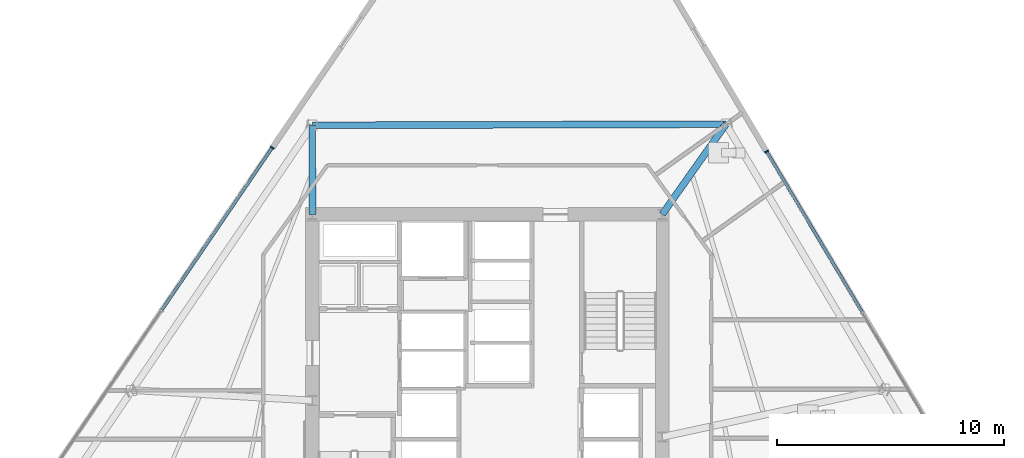
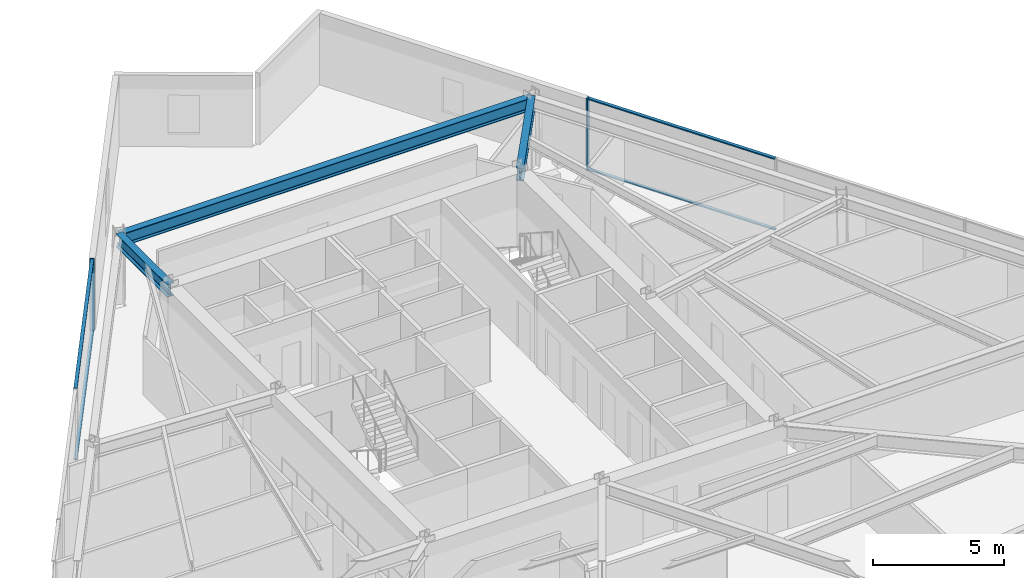
# One storey, part 7 of 17: 6 members, 3 beams, 2 elements without a shape of their own.
"""IFC4 building model written with IfcOpenShell, lengths in metres."""

from ifc_helpers import new_model, si_unit, direction, frame, origin, origin_2d, place, context, subcontext, project, spatial, rectangle, i_section, extrude, material, material_profile, profile_set, type_object, element, aggregate, save


model = new_model("IFC4")

# Units and contexts
model_context = context("Model", 3, precision=1e-05, world=origin(), true_north=direction((0.0, 1.0)))
body_context = subcontext(model_context, "Body", "Model", "MODEL_VIEW")
ifc_project = project(units=[si_unit("LENGTHUNIT", "METRE"), si_unit("AREAUNIT", "SQUARE_METRE"), si_unit("VOLUMEUNIT", "CUBIC_METRE"), si_unit("PLANEANGLEUNIT", "RADIAN"), si_unit("MASSUNIT", "GRAM", prefix="KILO")], contexts=[model_context])

# Site, building, storey
site_placement = place(None, origin())
site = spatial("IfcSite", under=ifc_project, at=site_placement, CompositionType="ELEMENT")
building_placement = place(site_placement, origin())
building = spatial("IfcBuilding", under=site, at=building_placement, Name="Savorim Split Tower", CompositionType="ELEMENT")
storey_placement = place(building_placement, frame((0.0, 0.0, 55.199951171875)))
storey = spatial("IfcBuildingStorey", under=building, at=storey_placement, Name="L14", CompositionType="ELEMENT", Elevation=55.199951171875)

# Beams
ifc_material_1 = material(Name="Steel S355", Category="steel")
ifc_material_profile_1 = material_profile(ifc_material_1, i_section(OverallWidth=0.300048828125, OverallDepth=0.60009765625, WebThickness=0.015380859375, FlangeThickness=0.030029296875, FilletRadius=0.027099609375, at=origin_2d()), Name="HEB 600")
ifc_profile_set_1 = profile_set([ifc_material_profile_1], Name="Steel S355")
beam_type_1 = type_object("IfcBeamType", Name="BM-PRI-HEB600", PredefinedType="BEAM", material=ifc_profile_set_1)
beam_1_placement = place(storey_placement, frame((10.505126953125, 14.16796875, 3.050048828125), z_axis=(-0.577262964215, -0.816558307866, 0.0), x_axis=(0.816558307866, -0.577262964215, 0.0)))
element("IfcBeam", 1, at=beam_1_placement, inside=storey, type_object=beam_type_1, Name="L14 Primary Floor Girder RG-07", PredefinedType="BEAM", context=body_context, shape_type="SweptSolid", body=[
    extrude(i_section(OverallWidth=0.300048828125, OverallDepth=0.60009765625, WebThickness=0.015380859375, FlangeThickness=0.030029296875, FilletRadius=0.027099609375, at=origin_2d()), origin(), (0.0, 0.0, 1.0), 4.859375),
])
beam_2_placement = place(storey_placement, frame((-7.707275390625, 14.119140625, 3.050048828125), z_axis=(0.001868806305, -0.99999825378, 0.0), x_axis=(0.99999825378, 0.001868806305, 0.0)))
element("IfcBeam", 2, at=beam_2_placement, inside=storey, type_object=beam_type_1, Name="L14 Primary Floor Girder RG-08", PredefinedType="BEAM", context=body_context, shape_type="SweptSolid", body=[
    extrude(i_section(OverallWidth=0.300048828125, OverallDepth=0.60009765625, WebThickness=0.015380859375, FlangeThickness=0.030029296875, FilletRadius=0.027099609375, at=origin_2d()), origin(), (0.0, 0.0, 1.0), 3.919189453125),
])
ifc_material_profile_2 = material_profile(ifc_material_1, i_section(OverallWidth=0.300048828125, OverallDepth=0.590087890625, WebThickness=0.012939453125, FlangeThickness=0.02490234375, FilletRadius=0.027099609375, at=origin_2d()), Name="HEA 600")
ifc_profile_set_2 = profile_set([ifc_material_profile_2], Name="Steel S355")
beam_type_2 = type_object("IfcBeamType", Name="BM-SPN-HEA600", PredefinedType="SPANDREL", material=ifc_profile_set_2)
beam_3_placement = place(storey_placement, frame((10.505126953125, 14.16796875, 3.054931640625), z_axis=(-0.99999640604, -0.00268102739, 0.0), x_axis=(0.00268102739, -0.99999640604, 0.0)))
element("IfcBeam", 3, at=beam_3_placement, inside=storey, type_object=beam_type_2, Name="L14 Perimeter Spandrel Beam 7", PredefinedType="SPANDREL", context=body_context, shape_type="SweptSolid", body=[
    extrude(i_section(OverallWidth=0.300048828125, OverallDepth=0.590087890625, WebThickness=0.012939453125, FlangeThickness=0.02490234375, FilletRadius=0.027099609375, at=origin_2d()), origin(), (0.0, 0.0, 1.0), 18.21240234375),
])

# Curtain wall, member
ifc_material_2 = material(Name="Dark Ceramic-Fritted Insulated Glass", Category="glass")
curtain_wall_type = type_object("IfcCurtainWallType", Name="CW-TWR-FRIT-A", PredefinedType="NOTDEFINED", material=ifc_material_2)
curtain_wall_1_placement = place(storey_placement, origin())
curtain_wall_1 = element("IfcCurtainWall", 4, at=curtain_wall_1_placement, inside=storey, type_object=curtain_wall_type, Name="L14 Curtain Wall CW-L14-EAST", PredefinedType="NOTDEFINED")
ifc_material_3 = material(Name="Charcoal Anodised Aluminium", Category="aluminium")
ifc_material_profile_3 = material_profile(ifc_material_3, rectangle(XDim=0.179931640625, YDim=0.06494140625, at=origin_2d()), Name="ALU-M 180x65")
ifc_profile_set_3 = profile_set([ifc_material_profile_3], Name="Charcoal Anodised Aluminium")
member_type_1 = type_object("IfcMemberType", Name="CWM-180x65", PredefinedType="MULLION", material=ifc_profile_set_3)
member_1_placement = place(storey_placement, frame((12.296630859375, 12.96826171875, 0.0), z_axis=(0.0, 0.0, 1.0), x_axis=(-0.859525822673, -0.511092320583, 0.0)))
member_1 = element("IfcMember", 5, at=member_1_placement, type_object=member_type_1, Name="CW-02 mullion 5", PredefinedType="MULLION", context=body_context, shape_type="SweptSolid", body=[
    extrude(rectangle(XDim=0.179931640625, YDim=0.06494140625, at=origin_2d()), origin(), (0.0, 0.0, 1.0), 3.35009765625),
])

curtain_wall_2_placement = place(storey_placement, origin())
curtain_wall_2 = element("IfcCurtainWall", 6, at=curtain_wall_2_placement, inside=storey, type_object=curtain_wall_type, Name="L14 Curtain Wall CW-L14-WEST", PredefinedType="NOTDEFINED")
member_2_placement = place(storey_placement, frame((-9.468994140625, 13.136474609375, 0.0), z_axis=(0.0, 0.0, 1.0), x_axis=(0.826820172644, -0.562466356423, 0.0)))
member_2 = element("IfcMember", 7, at=member_2_placement, type_object=member_type_1, Name="CW-02 mullion 1", PredefinedType="MULLION", context=body_context, shape_type="SweptSolid", body=[
    extrude(rectangle(XDim=0.179931640625, YDim=0.06494140625, at=origin_2d()), origin(), (0.0, 0.0, 1.0), 3.35009765625),
])

# Member
ifc_material_profile_4 = material_profile(ifc_material_3, rectangle(XDim=0.139892578125, YDim=0.054931640625, at=origin_2d()), Name="ALU-T 140x55")
ifc_profile_set_4 = profile_set([ifc_material_profile_4], Name="Charcoal Anodised Aluminium")
member_type_2 = type_object("IfcMemberType", Name="CWT-140x55", PredefinedType="USERDEFINED", material=ifc_profile_set_4)
member_3_placement = place(storey_placement, frame((16.49853515625, 5.901611328125, 0.027587890625), z_axis=(-0.51109384724, 0.859524914888, 0.0), x_axis=(-0.859524914888, -0.51109384724, 0.0)))
member_3 = element("IfcMember", 8, at=member_3_placement, type_object=member_type_2, Name="CW-02 transom 4.1", ObjectType="TRANSOM", PredefinedType="USERDEFINED", context=body_context, shape_type="SweptSolid", body=[
    extrude(rectangle(XDim=0.139892578125, YDim=0.054931640625, at=origin_2d()), origin(), (0.0, 0.0, 1.0), 8.18896484375),
])

member_4_placement = place(storey_placement, frame((16.49853515625, 5.901611328125, 3.322509765625), z_axis=(-0.51109384724, 0.859524914888, 0.0), x_axis=(-0.859524914888, -0.51109384724, 0.0)))
member_4 = element("IfcMember", 9, at=member_4_placement, type_object=member_type_2, Name="CW-02 transom 4.2", ObjectType="TRANSOM", PredefinedType="USERDEFINED", context=body_context, shape_type="SweptSolid", body=[
    extrude(rectangle(XDim=0.139892578125, YDim=0.054931640625, at=origin_2d()), origin(), (0.0, 0.0, 1.0), 8.18896484375),
])

aggregate(curtain_wall_1, [member_1, member_3, member_4])

member_5_placement = place(storey_placement, frame((-9.487060546875, 13.109619140625, 0.027587890625), z_axis=(-0.562479161914, -0.826811461224, 0.0), x_axis=(0.826811461224, -0.562479161914, 0.0)))
member_5 = element("IfcMember", 10, at=member_5_placement, type_object=member_type_2, Name="CW-02 transom 1.1", ObjectType="TRANSOM", PredefinedType="USERDEFINED", context=body_context, shape_type="SweptSolid", body=[
    extrude(rectangle(XDim=0.139892578125, YDim=0.054931640625, at=origin_2d()), origin(), (0.0, 0.0, 1.0), 8.606201171875),
])

member_6_placement = place(storey_placement, frame((-9.487060546875, 13.109619140625, 3.322509765625), z_axis=(-0.562479161914, -0.826811461224, 0.0), x_axis=(0.826811461224, -0.562479161914, 0.0)))
member_6 = element("IfcMember", 11, at=member_6_placement, type_object=member_type_2, Name="CW-02 transom 1.2", ObjectType="TRANSOM", PredefinedType="USERDEFINED", context=body_context, shape_type="SweptSolid", body=[
    extrude(rectangle(XDim=0.139892578125, YDim=0.054931640625, at=origin_2d()), origin(), (0.0, 0.0, 1.0), 8.606201171875),
])

aggregate(curtain_wall_2, [member_2, member_5, member_6])

save(model, "model.ifc")
